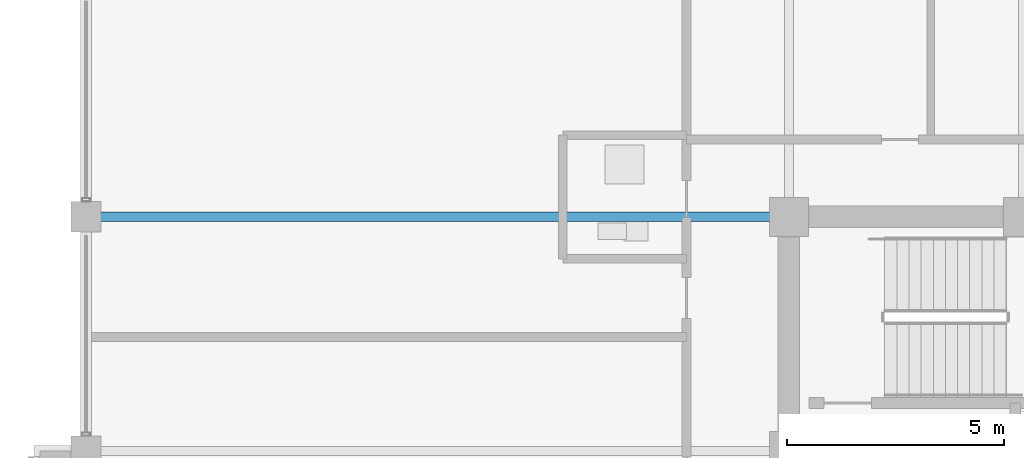
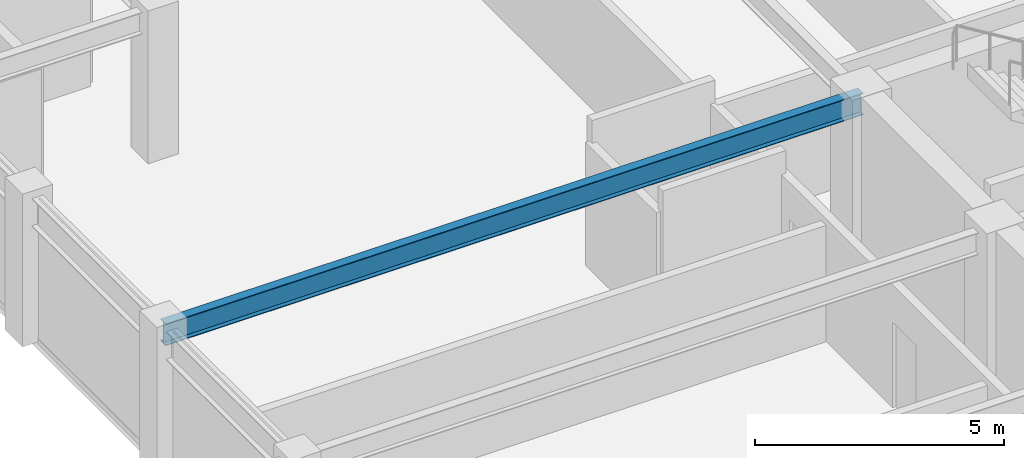
# One storey, part 14 of 30: 1 beam.
"""IFC4 building model written with IfcOpenShell, lengths in metres."""

from ifc_helpers import new_model, si_unit, direction, frame, origin, origin_2d, place, context, subcontext, project, spatial, i_section, extrude, material, material_profile, profile_set, type_object, element, save


model = new_model("IFC4")

# Units and contexts
model_context = context("Model", 3, precision=1e-05, world=origin(), true_north=direction((0.0, 1.0)))
body_context = subcontext(model_context, "Body", "Model", "MODEL_VIEW")
ifc_project = project(units=[si_unit("LENGTHUNIT", "METRE"), si_unit("AREAUNIT", "SQUARE_METRE"), si_unit("VOLUMEUNIT", "CUBIC_METRE"), si_unit("PLANEANGLEUNIT", "RADIAN"), si_unit("MASSUNIT", "GRAM", prefix="KILO")], contexts=[model_context])

# Site, building, storey
site_placement = place(None, origin())
site = spatial("IfcSite", under=ifc_project, at=site_placement, CompositionType="ELEMENT")
building_placement = place(site_placement, origin())
building = spatial("IfcBuilding", under=site, at=building_placement, Name="Surkhivell Harbour Commons", CompositionType="ELEMENT")
storey_placement = place(building_placement, frame((0.0, 0.0, 307.5)))
storey = spatial("IfcBuildingStorey", under=building, at=storey_placement, Name="L80", CompositionType="ELEMENT", Elevation=307.5)

# Beam
ifc_material = material(Name="Steel S355", Category="steel")
ifc_material_profile = material_profile(ifc_material, i_section(OverallWidth=0.2099609375, OverallDepth=0.537109375, WebThickness=0.0107421875, FlangeThickness=0.017333984375, at=origin_2d()), Name="UB533x210x101")
ifc_profile_set = profile_set([ifc_material_profile], Name="Steel S355")
beam_type = type_object("IfcBeamType", Name="BM-GRD-533B", PredefinedType="BEAM", material=ifc_profile_set)
beam_placement = place(storey_placement, frame((-27.0, 10.800048828125, 3.301513671875), z_axis=(1.0, 0.0, 0.0), x_axis=(0.0, 1.0, 0.0)))
element("IfcBeam", 1, at=beam_placement, inside=storey, type_object=beam_type, Name="L80 Floor Girder (-27.0,10.8)", PredefinedType="BEAM", context=body_context, shape_type="SweptSolid", body=[
    extrude(i_section(OverallWidth=0.2099609375, OverallDepth=0.537109375, WebThickness=0.0107421875, FlangeThickness=0.017333984375, at=origin_2d()), origin(), (0.0, 0.0, 1.0), 16.199951171875),
])

save(model, "model.ifc")
